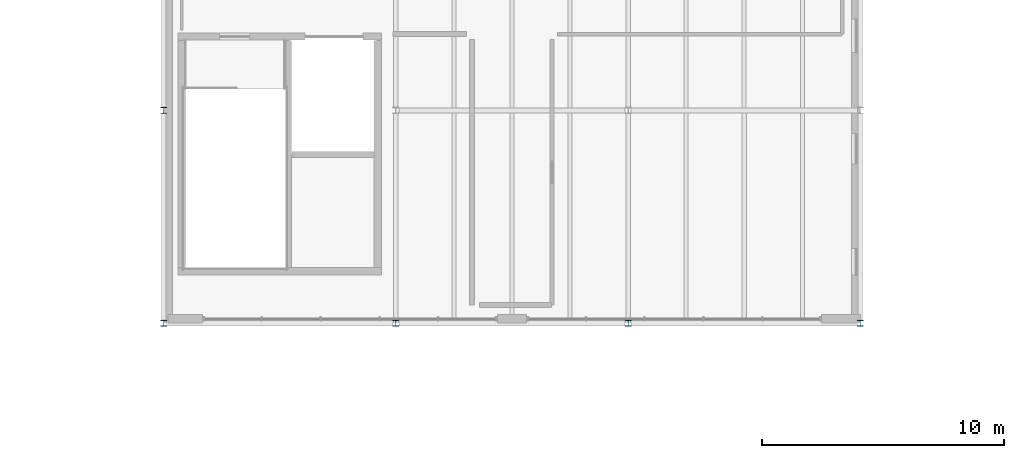
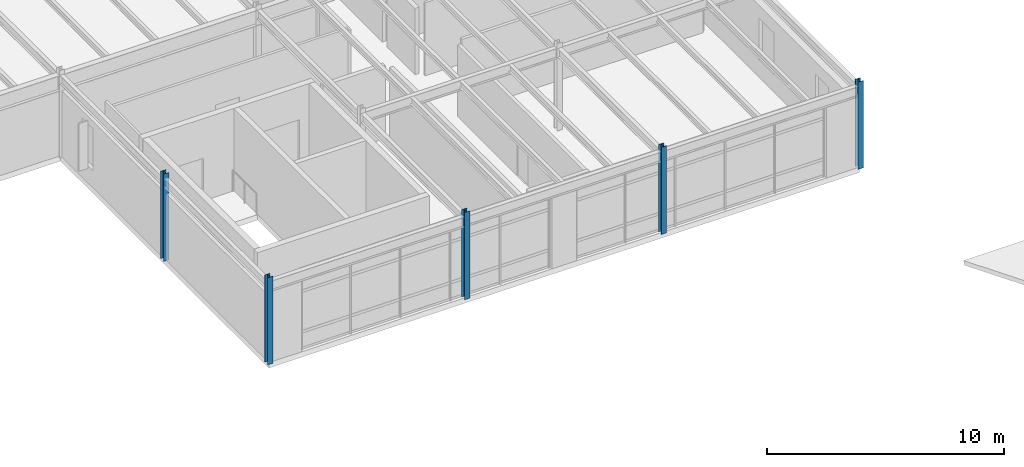
# One storey, part 1 of 69: 5 columns.
"""IFC4 building model written with IfcOpenShell, lengths in metres."""

from ifc_helpers import new_model, si_unit, direction, frame, origin, origin_2d, place, context, subcontext, project, spatial, i_section, extrude, material, material_profile, profile_set, type_object, element, save


model = new_model("IFC4")

# Units and contexts
model_context = context("Model", 3, precision=1e-05, world=origin(), true_north=direction((0.0, 1.0)))
body_context = subcontext(model_context, "Body", "Model", "MODEL_VIEW")
ifc_project = project(units=[si_unit("LENGTHUNIT", "METRE"), si_unit("AREAUNIT", "SQUARE_METRE"), si_unit("VOLUMEUNIT", "CUBIC_METRE"), si_unit("PLANEANGLEUNIT", "RADIAN"), si_unit("MASSUNIT", "GRAM", prefix="KILO")], contexts=[model_context])

# Site, building, storey
site_placement = place(None, origin())
site = spatial("IfcSite", under=ifc_project, at=site_placement, CompositionType="ELEMENT")
building_placement = place(site_placement, origin())
building = spatial("IfcBuilding", under=site, at=building_placement, Name="Sarnbrook Museum", CompositionType="ELEMENT")
storey_placement = place(building_placement, frame((0.0, 0.0, 14.60009765625)))
storey = spatial("IfcBuildingStorey", under=building, at=storey_placement, Name="L03", CompositionType="ELEMENT", Elevation=14.60009765625)

# Columns
ifc_material = material(Name="Structural Steel Grade 300PLUS (AS/NZS 3679.1, fy = 280 MPa for 17 < t <= 40 mm, 300 MPa for t <= 17 mm)", Category="steel")
ifc_material_profile = material_profile(ifc_material, i_section(OverallWidth=0.25390625, OverallDepth=0.25390625, WebThickness=0.008544921875, FlangeThickness=0.01416015625, FilletRadius=0.0126953125, at=origin_2d()), Name="250UC72.9")
ifc_profile_set = profile_set([ifc_material_profile], Name="Structural Steel Grade 300PLUS (AS/NZS 3679.1, fy = 280 MPa for 17 < t <= 40 mm, 300 MPa for t <= 17 mm)")
column_type = type_object("IfcColumnType", Name="COL-UC250", PredefinedType="COLUMN", material=ifc_profile_set)
for number, where, z_axis, x_axis, name in (
    (1, (13.60009765625, 39.199951171875, 0.0), (0.0, 0.0, 1.0), (1.0, 0.0, 0.0), "Column 2-E L03"),
    (2, (13.60009765625, 48.0, 0.0), (0.0, 0.0, 1.0), (1.0, 0.0, 0.0), "Column 2-F L03"),
    (3, (23.199951171875, 39.199951171875, 0.0), (0.0, 0.0, 1.0), (1.0, 0.0, 0.0), "Column 3-E L03"),
    (4, (32.800048828125, 39.199951171875, 0.0), (0.0, 0.0, 1.0), (1.0, 0.0, 0.0), "Column 4-E L03"),
    (5, (42.39990234375, 39.199951171875, 0.0), (0.0, 0.0, 1.0), (1.0, 0.0, 0.0), "Column 5-E L03"),
):
    element("IfcColumn", number, at=place(storey_placement, frame(where, z_axis=z_axis, x_axis=x_axis)), inside=storey, type_object=column_type, Name=name, PredefinedType="COLUMN", context=body_context, shape_type="SweptSolid", body=[
        extrude(i_section(OverallWidth=0.25390625, OverallDepth=0.25390625, WebThickness=0.008544921875, FlangeThickness=0.01416015625, FilletRadius=0.0126953125, at=origin_2d()), origin(), (0.0, 0.0, 1.0), 4.5),
    ])

save(model, "model.ifc")
